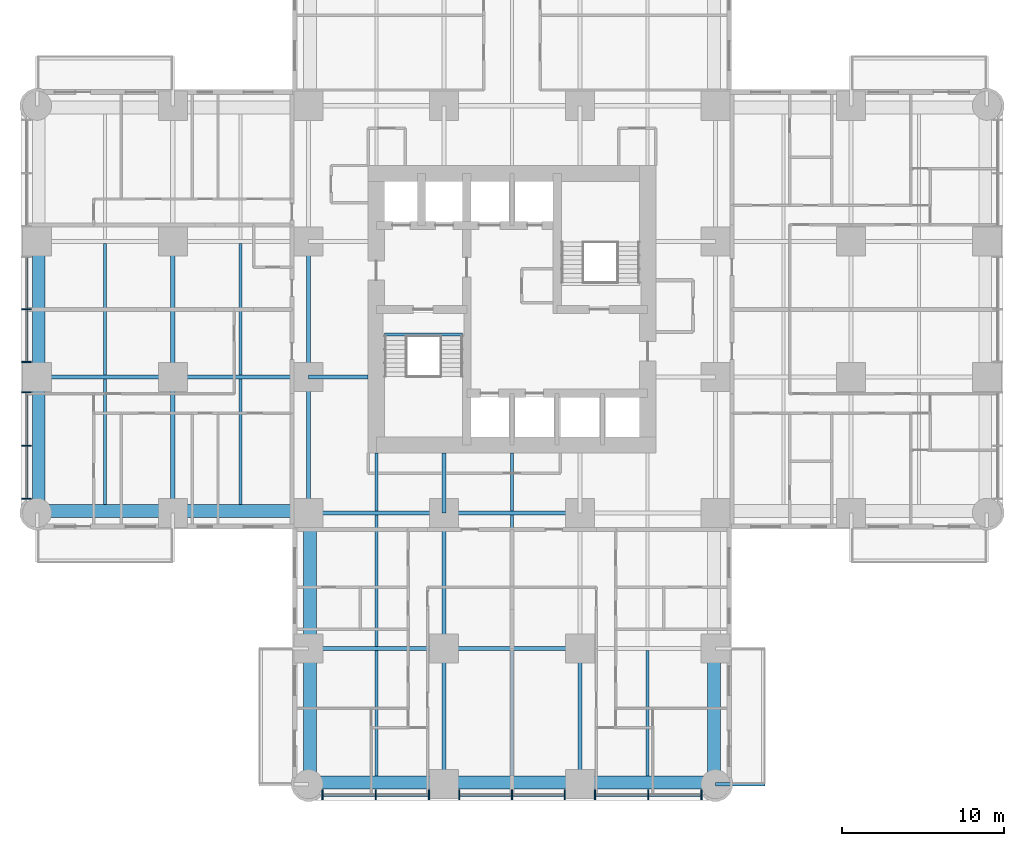
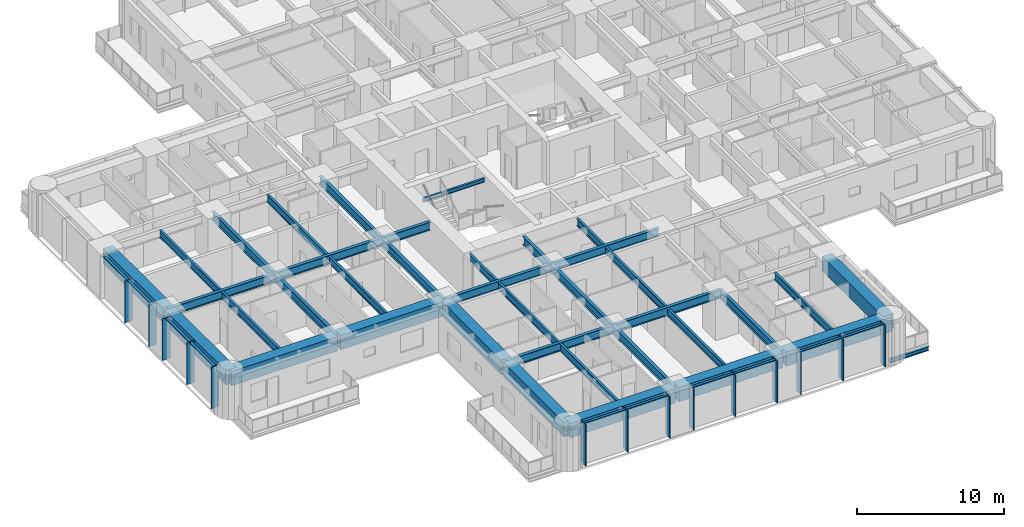
# One storey, part 2 of 17: 38 beams, 24 members, 2 elements without a shape of their own.
"""IFC4 building model written with IfcOpenShell, lengths in metres."""

from ifc_helpers import new_model, si_unit, direction, frame, origin, origin_2d, place, context, subcontext, project, spatial, rectangle, i_section, extrude, material, material_profile, profile_set, type_object, element, aggregate, save


model = new_model("IFC4")

# Units and contexts
model_context = context("Model", 3, precision=1e-05, world=origin(), true_north=direction((0.0, 1.0)))
body_context = subcontext(model_context, "Body", "Model", "MODEL_VIEW")
ifc_project = project(units=[si_unit("LENGTHUNIT", "METRE"), si_unit("AREAUNIT", "SQUARE_METRE"), si_unit("VOLUMEUNIT", "CUBIC_METRE"), si_unit("PLANEANGLEUNIT", "RADIAN"), si_unit("MASSUNIT", "GRAM", prefix="KILO")], contexts=[model_context])

# Site, building, storey
site_placement = place(None, origin())
site = spatial("IfcSite", under=ifc_project, at=site_placement, CompositionType="ELEMENT")
building_placement = place(site_placement, origin())
building = spatial("IfcBuilding", under=site, at=building_placement, Name="Torre Alcanfor", CompositionType="ELEMENT")
storey_placement = place(building_placement, frame((0.0, 0.0, 34.5)))
storey = spatial("IfcBuildingStorey", under=building, at=storey_placement, Name="L07", CompositionType="ELEMENT", Elevation=34.5)

# Beam
ifc_material_1 = material(Name="Steel ASTM A992 Grade 50", Category="steel")
ifc_material_profile_1 = material_profile(ifc_material_1, i_section(OverallWidth=0.205322265625, OverallDepth=0.309814453125, WebThickness=0.00927734375, FlangeThickness=0.016357421875, at=origin_2d()), Name="W12x50")
ifc_profile_set_1 = profile_set([ifc_material_profile_1], Name="Steel ASTM A992 Grade 50")
beam_type_1 = type_object("IfcBeamType", Name="Balcony cantilever beam W12x50", PredefinedType="BEAM", material=ifc_profile_set_1)
beam_1_placement = place(storey_placement, frame((42.0, 0.0, -0.35498046875), z_axis=(1.0, 0.0, 0.0), x_axis=(0.0, 1.0, 0.0)))
element("IfcBeam", 1, at=beam_1_placement, inside=storey, type_object=beam_type_1, Name="Balcony cantilever beam L07-S1 2", PredefinedType="BEAM", context=body_context, shape_type="SweptSolid", body=[
    extrude(i_section(OverallWidth=0.205322265625, OverallDepth=0.309814453125, WebThickness=0.00927734375, FlangeThickness=0.016357421875, at=origin_2d()), origin(), (0.0, 0.0, 1.0), 3.050048828125),
])

# Curtain wall, members
ifc_material_2 = material(Name="Aluminium and glass", Category="aluminium")
curtain_wall_type = type_object("IfcCurtainWallType", Name="CW-A unitised apartment glazing with vertical FIN", PredefinedType="NOTDEFINED", material=ifc_material_2)
curtain_wall_1_placement = place(storey_placement, origin())
curtain_wall_1 = element("IfcCurtainWall", 2, at=curtain_wall_1_placement, inside=storey, type_object=curtain_wall_type, Name="Curtain wall CW-A L07 2", PredefinedType="NOTDEFINED")
ifc_material_3 = material(Name="Bronze anodised aluminium", Category="aluminium")
ifc_material_profile_2 = material_profile(ifc_material_3, rectangle(XDim=0.60009765625, YDim=0.06494140625, at=origin_2d()), Name="CW-A mullion 65x600")
ifc_profile_set_2 = profile_set([ifc_material_profile_2], Name="Bronze anodised aluminium")
member_type_1 = type_object("IfcMemberType", Name="CW-A mullion with vertical FIN 65x600", PredefinedType="MULLION", material=ifc_profile_set_2)
member_1_placement = place(storey_placement, frame((-0.64990234375, 29.39990234375, 0.0), z_axis=(0.0, 0.0, 1.0), x_axis=(1.0, 0.0, 0.0)))
member_1 = element("IfcMember", 3, at=member_1_placement, type_object=member_type_1, Name="CW-A mullion 2.2", PredefinedType="MULLION", context=body_context, shape_type="SweptSolid", body=[
    extrude(rectangle(XDim=0.60009765625, YDim=0.06494140625, at=origin_2d()), origin(), (0.0, 0.0, 1.0), 3.449951171875),
])
member_2_placement = place(storey_placement, frame((-0.64990234375, 26.137451171875, 0.0), z_axis=(0.0, 0.0, 1.0), x_axis=(1.0, 0.0, 0.0)))
member_2 = element("IfcMember", 4, at=member_2_placement, type_object=member_type_1, Name="CW-A mullion 2.3", PredefinedType="MULLION", context=body_context, shape_type="SweptSolid", body=[
    extrude(rectangle(XDim=0.60009765625, YDim=0.06494140625, at=origin_2d()), origin(), (0.0, 0.0, 1.0), 3.449951171875),
])
member_3_placement = place(storey_placement, frame((-0.64990234375, 24.262451171875, 0.0), z_axis=(0.0, 0.0, 1.0), x_axis=(1.0, 0.0, 0.0)))
member_3 = element("IfcMember", 5, at=member_3_placement, type_object=member_type_1, Name="CW-A mullion 3.1", PredefinedType="MULLION", context=body_context, shape_type="SweptSolid", body=[
    extrude(rectangle(XDim=0.60009765625, YDim=0.06494140625, at=origin_2d()), origin(), (0.0, 0.0, 1.0), 3.449951171875),
])
member_4_placement = place(storey_placement, frame((-0.64990234375, 20.96484375, 0.0), z_axis=(0.0, 0.0, 1.0), x_axis=(1.0, 0.0, 0.0)))
member_4 = element("IfcMember", 6, at=member_4_placement, type_object=member_type_1, Name="CW-A mullion 3.2", PredefinedType="MULLION", context=body_context, shape_type="SweptSolid", body=[
    extrude(rectangle(XDim=0.60009765625, YDim=0.06494140625, at=origin_2d()), origin(), (0.0, 0.0, 1.0), 3.449951171875),
])
member_5_placement = place(storey_placement, frame((-0.64990234375, 17.6669921875, 0.0), z_axis=(0.0, 0.0, 1.0), x_axis=(1.0, 0.0, 0.0)))
member_5 = element("IfcMember", 7, at=member_5_placement, type_object=member_type_1, Name="CW-A mullion 3.3", PredefinedType="MULLION", context=body_context, shape_type="SweptSolid", body=[
    extrude(rectangle(XDim=0.60009765625, YDim=0.06494140625, at=origin_2d()), origin(), (0.0, 0.0, 1.0), 3.449951171875),
])

curtain_wall_2_placement = place(storey_placement, origin())
curtain_wall_2 = element("IfcCurtainWall", 8, at=curtain_wall_2_placement, inside=storey, type_object=curtain_wall_type, Name="Curtain wall CW-A L07 5", PredefinedType="NOTDEFINED")
member_6_placement = place(storey_placement, frame((17.6669921875, -0.64990234375, 0.0), z_axis=(0.0, 0.0, 1.0), x_axis=(0.0, 1.0, 0.0)))
member_6 = element("IfcMember", 9, at=member_6_placement, type_object=member_type_1, Name="CW-A mullion 1.1", PredefinedType="MULLION", context=body_context, shape_type="SweptSolid", body=[
    extrude(rectangle(XDim=0.60009765625, YDim=0.06494140625, at=origin_2d()), origin(), (0.0, 0.0, 1.0), 3.449951171875),
])
member_7_placement = place(storey_placement, frame((20.96484375, -0.64990234375, 0.0), z_axis=(0.0, 0.0, 1.0), x_axis=(0.0, 1.0, 0.0)))
member_7 = element("IfcMember", 10, at=member_7_placement, type_object=member_type_1, Name="CW-A mullion 1.2", PredefinedType="MULLION", context=body_context, shape_type="SweptSolid", body=[
    extrude(rectangle(XDim=0.60009765625, YDim=0.06494140625, at=origin_2d()), origin(), (0.0, 0.0, 1.0), 3.449951171875),
])
member_8_placement = place(storey_placement, frame((24.262451171875, -0.64990234375, 0.0), z_axis=(0.0, 0.0, 1.0), x_axis=(0.0, 1.0, 0.0)))
member_8 = element("IfcMember", 11, at=member_8_placement, type_object=member_type_1, Name="CW-A mullion 1.3", PredefinedType="MULLION", context=body_context, shape_type="SweptSolid", body=[
    extrude(rectangle(XDim=0.60009765625, YDim=0.06494140625, at=origin_2d()), origin(), (0.0, 0.0, 1.0), 3.449951171875),
])
member_9_placement = place(storey_placement, frame((26.137451171875, -0.64990234375, 0.0), z_axis=(0.0, 0.0, 1.0), x_axis=(0.0, 1.0, 0.0)))
member_9 = element("IfcMember", 12, at=member_9_placement, type_object=member_type_1, Name="CW-A mullion 2.1", PredefinedType="MULLION", context=body_context, shape_type="SweptSolid", body=[
    extrude(rectangle(XDim=0.60009765625, YDim=0.06494140625, at=origin_2d()), origin(), (0.0, 0.0, 1.0), 3.449951171875),
])
member_10_placement = place(storey_placement, frame((29.39990234375, -0.64990234375, 0.0), z_axis=(0.0, 0.0, 1.0), x_axis=(0.0, 1.0, 0.0)))
member_10 = element("IfcMember", 13, at=member_10_placement, type_object=member_type_1, Name="CW-A mullion 2.2", PredefinedType="MULLION", context=body_context, shape_type="SweptSolid", body=[
    extrude(rectangle(XDim=0.60009765625, YDim=0.06494140625, at=origin_2d()), origin(), (0.0, 0.0, 1.0), 3.449951171875),
])
member_11_placement = place(storey_placement, frame((32.66259765625, -0.64990234375, 0.0), z_axis=(0.0, 0.0, 1.0), x_axis=(0.0, 1.0, 0.0)))
member_11 = element("IfcMember", 14, at=member_11_placement, type_object=member_type_1, Name="CW-A mullion 2.3", PredefinedType="MULLION", context=body_context, shape_type="SweptSolid", body=[
    extrude(rectangle(XDim=0.60009765625, YDim=0.06494140625, at=origin_2d()), origin(), (0.0, 0.0, 1.0), 3.449951171875),
])
member_12_placement = place(storey_placement, frame((34.53759765625, -0.64990234375, 0.0), z_axis=(0.0, 0.0, 1.0), x_axis=(0.0, 1.0, 0.0)))
member_12 = element("IfcMember", 15, at=member_12_placement, type_object=member_type_1, Name="CW-A mullion 3.1", PredefinedType="MULLION", context=body_context, shape_type="SweptSolid", body=[
    extrude(rectangle(XDim=0.60009765625, YDim=0.06494140625, at=origin_2d()), origin(), (0.0, 0.0, 1.0), 3.449951171875),
])
member_13_placement = place(storey_placement, frame((37.835205078125, -0.64990234375, 0.0), z_axis=(0.0, 0.0, 1.0), x_axis=(0.0, 1.0, 0.0)))
member_13 = element("IfcMember", 16, at=member_13_placement, type_object=member_type_1, Name="CW-A mullion 3.2", PredefinedType="MULLION", context=body_context, shape_type="SweptSolid", body=[
    extrude(rectangle(XDim=0.60009765625, YDim=0.06494140625, at=origin_2d()), origin(), (0.0, 0.0, 1.0), 3.449951171875),
])
member_14_placement = place(storey_placement, frame((41.133056640625, -0.64990234375, 0.0), z_axis=(0.0, 0.0, 1.0), x_axis=(0.0, 1.0, 0.0)))
member_14 = element("IfcMember", 17, at=member_14_placement, type_object=member_type_1, Name="CW-A mullion 3.3", PredefinedType="MULLION", context=body_context, shape_type="SweptSolid", body=[
    extrude(rectangle(XDim=0.60009765625, YDim=0.06494140625, at=origin_2d()), origin(), (0.0, 0.0, 1.0), 3.449951171875),
])

# Member
ifc_material_4 = material(Name="Extruded aluminium", Category="aluminium")
ifc_material_profile_3 = material_profile(ifc_material_4, rectangle(XDim=0.199951171875, YDim=0.06494140625, at=origin_2d()), Name="CW-A transom 200x65")
ifc_profile_set_3 = profile_set([ifc_material_profile_3], Name="Extruded aluminium")
member_type_2 = type_object("IfcMemberType", Name="CW-A transom 65x200", PredefinedType="USERDEFINED", material=ifc_profile_set_3)
member_15_placement = place(storey_placement, frame((-0.64990234375, 32.6298828125, 3.41748046875), z_axis=(0.0, -1.0, 0.0), x_axis=(1.0, 0.0, 0.0)))
member_15 = element("IfcMember", 18, at=member_15_placement, type_object=member_type_2, Name="CW-A transom 2.1.2", ObjectType="TRANSOM", PredefinedType="USERDEFINED", context=body_context, shape_type="SweptSolid", body=[
    extrude(rectangle(XDim=0.199951171875, YDim=0.06494140625, at=origin_2d()), origin(), (0.0, 0.0, 1.0), 3.197265625),
])

member_16_placement = place(storey_placement, frame((-0.64990234375, 29.367431640625, 3.41748046875), z_axis=(0.0, -1.0, 0.0), x_axis=(1.0, 0.0, 0.0)))
member_16 = element("IfcMember", 19, at=member_16_placement, type_object=member_type_2, Name="CW-A transom 2.2.2", ObjectType="TRANSOM", PredefinedType="USERDEFINED", context=body_context, shape_type="SweptSolid", body=[
    extrude(rectangle(XDim=0.199951171875, YDim=0.06494140625, at=origin_2d()), origin(), (0.0, 0.0, 1.0), 3.197509765625),
])

member_17_placement = place(storey_placement, frame((-0.64990234375, 24.22998046875, 3.41748046875), z_axis=(0.0, -1.0, 0.0), x_axis=(1.0, 0.0, 0.0)))
member_17 = element("IfcMember", 20, at=member_17_placement, type_object=member_type_2, Name="CW-A transom 3.1.2", ObjectType="TRANSOM", PredefinedType="USERDEFINED", context=body_context, shape_type="SweptSolid", body=[
    extrude(rectangle(XDim=0.199951171875, YDim=0.06494140625, at=origin_2d()), origin(), (0.0, 0.0, 1.0), 3.232666015625),
])

member_18_placement = place(storey_placement, frame((-0.64990234375, 20.93212890625, 3.41748046875), z_axis=(0.0, -1.0, 0.0), x_axis=(1.0, 0.0, 0.0)))
member_18 = element("IfcMember", 21, at=member_18_placement, type_object=member_type_2, Name="CW-A transom 3.2.2", ObjectType="TRANSOM", PredefinedType="USERDEFINED", context=body_context, shape_type="SweptSolid", body=[
    extrude(rectangle(XDim=0.199951171875, YDim=0.06494140625, at=origin_2d()), origin(), (0.0, 0.0, 1.0), 3.232666015625),
])

aggregate(curtain_wall_1, [member_1, member_2, member_15, member_16, member_3, member_4, member_5, member_17, member_18])

member_19_placement = place(storey_placement, frame((17.699462890625, -0.64990234375, 3.41748046875), z_axis=(1.0, 0.0, 0.0), x_axis=(0.0, 1.0, 0.0)))
member_19 = element("IfcMember", 22, at=member_19_placement, type_object=member_type_2, Name="CW-A transom 1.1.2", ObjectType="TRANSOM", PredefinedType="USERDEFINED", context=body_context, shape_type="SweptSolid", body=[
    extrude(rectangle(XDim=0.199951171875, YDim=0.06494140625, at=origin_2d()), origin(), (0.0, 0.0, 1.0), 3.232666015625),
])

member_20_placement = place(storey_placement, frame((20.997314453125, -0.64990234375, 3.41748046875), z_axis=(1.0, 0.0, 0.0), x_axis=(0.0, 1.0, 0.0)))
member_20 = element("IfcMember", 23, at=member_20_placement, type_object=member_type_2, Name="CW-A transom 1.2.2", ObjectType="TRANSOM", PredefinedType="USERDEFINED", context=body_context, shape_type="SweptSolid", body=[
    extrude(rectangle(XDim=0.199951171875, YDim=0.06494140625, at=origin_2d()), origin(), (0.0, 0.0, 1.0), 3.232666015625),
])

member_21_placement = place(storey_placement, frame((26.169921875, -0.64990234375, 3.41748046875), z_axis=(1.0, 0.0, 0.0), x_axis=(0.0, 1.0, 0.0)))
member_21 = element("IfcMember", 24, at=member_21_placement, type_object=member_type_2, Name="CW-A transom 2.1.2", ObjectType="TRANSOM", PredefinedType="USERDEFINED", context=body_context, shape_type="SweptSolid", body=[
    extrude(rectangle(XDim=0.199951171875, YDim=0.06494140625, at=origin_2d()), origin(), (0.0, 0.0, 1.0), 3.197509765625),
])

member_22_placement = place(storey_placement, frame((29.4326171875, -0.64990234375, 3.41748046875), z_axis=(1.0, 0.0, 0.0), x_axis=(0.0, 1.0, 0.0)))
member_22 = element("IfcMember", 25, at=member_22_placement, type_object=member_type_2, Name="CW-A transom 2.2.2", ObjectType="TRANSOM", PredefinedType="USERDEFINED", context=body_context, shape_type="SweptSolid", body=[
    extrude(rectangle(XDim=0.199951171875, YDim=0.06494140625, at=origin_2d()), origin(), (0.0, 0.0, 1.0), 3.197265625),
])

member_23_placement = place(storey_placement, frame((34.570068359375, -0.64990234375, 3.41748046875), z_axis=(1.0, 0.0, 0.0), x_axis=(0.0, 1.0, 0.0)))
member_23 = element("IfcMember", 26, at=member_23_placement, type_object=member_type_2, Name="CW-A transom 3.1.2", ObjectType="TRANSOM", PredefinedType="USERDEFINED", context=body_context, shape_type="SweptSolid", body=[
    extrude(rectangle(XDim=0.199951171875, YDim=0.06494140625, at=origin_2d()), origin(), (0.0, 0.0, 1.0), 3.232666015625),
])

member_24_placement = place(storey_placement, frame((37.86767578125, -0.64990234375, 3.41748046875), z_axis=(1.0, 0.0, 0.0), x_axis=(0.0, 1.0, 0.0)))
member_24 = element("IfcMember", 27, at=member_24_placement, type_object=member_type_2, Name="CW-A transom 3.2.2", ObjectType="TRANSOM", PredefinedType="USERDEFINED", context=body_context, shape_type="SweptSolid", body=[
    extrude(rectangle(XDim=0.199951171875, YDim=0.06494140625, at=origin_2d()), origin(), (0.0, 0.0, 1.0), 3.23291015625),
])

aggregate(curtain_wall_2, [member_6, member_7, member_8, member_19, member_20, member_9, member_10, member_11, member_21, member_22, member_12, member_13, member_14, member_23, member_24])

# Beams
ifc_material_5 = material(Name="Steel ASTM A992 Grade 50", Category="steel")
ifc_material_profile_4 = material_profile(ifc_material_5, i_section(OverallWidth=0.25390625, OverallDepth=0.683349609375, WebThickness=0.012451171875, FlangeThickness=0.01904296875, at=origin_2d()), Name="W27x94")
ifc_profile_set_4 = profile_set([ifc_material_profile_4], Name="Steel ASTM A992 Grade 50")
beam_type_2 = type_object("IfcBeamType", Name="Girder W27x94", PredefinedType="BEAM", material=ifc_profile_set_4)
beam_2_placement = place(storey_placement, frame((16.800048828125, 8.39990234375, 3.1083984375), z_axis=(1.0, 0.0, 0.0), x_axis=(0.0, 1.0, 0.0)))
element("IfcBeam", 28, at=beam_2_placement, inside=storey, type_object=beam_type_2, Name="Beam 3D-4D under L08", PredefinedType="BEAM", context=body_context, shape_type="SweptSolid", body=[
    extrude(i_section(OverallWidth=0.25390625, OverallDepth=0.683349609375, WebThickness=0.012451171875, FlangeThickness=0.01904296875, at=origin_2d()), origin(), (0.0, 0.0, 1.0), 8.39990234375),
])
beam_3_placement = place(storey_placement, frame((25.199951171875, 8.39990234375, 3.1083984375), z_axis=(1.0, 0.0, 0.0), x_axis=(0.0, 1.0, 0.0)))
element("IfcBeam", 29, at=beam_3_placement, inside=storey, type_object=beam_type_2, Name="Beam 4D-5D under L08", PredefinedType="BEAM", context=body_context, shape_type="SweptSolid", body=[
    extrude(i_section(OverallWidth=0.25390625, OverallDepth=0.683349609375, WebThickness=0.012451171875, FlangeThickness=0.01904296875, at=origin_2d()), origin(), (0.0, 0.0, 1.0), 8.400146484375),
])
beam_4_placement = place(storey_placement, frame((16.800048828125, 16.800048828125, 3.1083984375), z_axis=(1.0, 0.0, 0.0), x_axis=(0.0, 1.0, 0.0)))
element("IfcBeam", 30, at=beam_4_placement, inside=storey, type_object=beam_type_2, Name="Beam 3E-4E under L08", PredefinedType="BEAM", context=body_context, shape_type="SweptSolid", body=[
    extrude(i_section(OverallWidth=0.25390625, OverallDepth=0.683349609375, WebThickness=0.012451171875, FlangeThickness=0.01904296875, at=origin_2d()), origin(), (0.0, 0.0, 1.0), 8.39990234375),
])
beam_5_placement = place(storey_placement, frame((25.199951171875, 16.800048828125, 3.1083984375), z_axis=(1.0, 0.0, 0.0), x_axis=(0.0, 1.0, 0.0)))
element("IfcBeam", 31, at=beam_5_placement, inside=storey, type_object=beam_type_2, Name="Beam 4E-5E under L08", PredefinedType="BEAM", context=body_context, shape_type="SweptSolid", body=[
    extrude(i_section(OverallWidth=0.25390625, OverallDepth=0.683349609375, WebThickness=0.012451171875, FlangeThickness=0.01904296875, at=origin_2d()), origin(), (0.0, 0.0, 1.0), 8.400146484375),
])
beam_6_placement = place(storey_placement, frame((0.0, 25.199951171875, 3.1083984375), z_axis=(1.0, 0.0, 0.0), x_axis=(0.0, 1.0, 0.0)))
element("IfcBeam", 32, at=beam_6_placement, inside=storey, type_object=beam_type_2, Name="Beam 1F-2F under L08", PredefinedType="BEAM", context=body_context, shape_type="SweptSolid", body=[
    extrude(i_section(OverallWidth=0.25390625, OverallDepth=0.683349609375, WebThickness=0.012451171875, FlangeThickness=0.01904296875, at=origin_2d()), origin(), (0.0, 0.0, 1.0), 8.39990234375),
])
beam_7_placement = place(storey_placement, frame((8.39990234375, 25.199951171875, 3.1083984375), z_axis=(1.0, 0.0, 0.0), x_axis=(0.0, 1.0, 0.0)))
element("IfcBeam", 33, at=beam_7_placement, inside=storey, type_object=beam_type_2, Name="Beam 2F-3F under L08", PredefinedType="BEAM", context=body_context, shape_type="SweptSolid", body=[
    extrude(i_section(OverallWidth=0.25390625, OverallDepth=0.683349609375, WebThickness=0.012451171875, FlangeThickness=0.01904296875, at=origin_2d()), origin(), (0.0, 0.0, 1.0), 8.400146484375),
])
beam_8_placement = place(storey_placement, frame((8.39990234375, 16.800048828125, 3.1083984375), z_axis=(0.0, 1.0, 0.0), x_axis=(-1.0, 0.0, 0.0)))
element("IfcBeam", 34, at=beam_8_placement, inside=storey, type_object=beam_type_2, Name="Beam 2E-2F under L08", PredefinedType="BEAM", context=body_context, shape_type="SweptSolid", body=[
    extrude(i_section(OverallWidth=0.25390625, OverallDepth=0.683349609375, WebThickness=0.012451171875, FlangeThickness=0.01904296875, at=origin_2d()), origin(), (0.0, 0.0, 1.0), 8.39990234375),
])
beam_9_placement = place(storey_placement, frame((8.39990234375, 25.199951171875, 3.1083984375), z_axis=(0.0, 1.0, 0.0), x_axis=(-1.0, 0.0, 0.0)))
element("IfcBeam", 35, at=beam_9_placement, inside=storey, type_object=beam_type_2, Name="Beam 2F-2G under L08", PredefinedType="BEAM", context=body_context, shape_type="SweptSolid", body=[
    extrude(i_section(OverallWidth=0.25390625, OverallDepth=0.683349609375, WebThickness=0.012451171875, FlangeThickness=0.01904296875, at=origin_2d()), origin(), (0.0, 0.0, 1.0), 8.400146484375),
])
beam_10_placement = place(storey_placement, frame((16.800048828125, 16.800048828125, 3.1083984375), z_axis=(0.0, 1.0, 0.0), x_axis=(-1.0, 0.0, 0.0)))
element("IfcBeam", 36, at=beam_10_placement, inside=storey, type_object=beam_type_2, Name="Beam 3E-3F under L08", PredefinedType="BEAM", context=body_context, shape_type="SweptSolid", body=[
    extrude(i_section(OverallWidth=0.25390625, OverallDepth=0.683349609375, WebThickness=0.012451171875, FlangeThickness=0.01904296875, at=origin_2d()), origin(), (0.0, 0.0, 1.0), 8.39990234375),
])
beam_11_placement = place(storey_placement, frame((16.800048828125, 25.199951171875, 3.1083984375), z_axis=(0.0, 1.0, 0.0), x_axis=(-1.0, 0.0, 0.0)))
element("IfcBeam", 37, at=beam_11_placement, inside=storey, type_object=beam_type_2, Name="Beam 3F-3G under L08", PredefinedType="BEAM", context=body_context, shape_type="SweptSolid", body=[
    extrude(i_section(OverallWidth=0.25390625, OverallDepth=0.683349609375, WebThickness=0.012451171875, FlangeThickness=0.01904296875, at=origin_2d()), origin(), (0.0, 0.0, 1.0), 8.400146484375),
])
beam_12_placement = place(storey_placement, frame((25.199951171875, 0.0, 3.1083984375), z_axis=(0.0, 1.0, 0.0), x_axis=(-1.0, 0.0, 0.0)))
element("IfcBeam", 38, at=beam_12_placement, inside=storey, type_object=beam_type_2, Name="Beam 4C-4D under L08", PredefinedType="BEAM", context=body_context, shape_type="SweptSolid", body=[
    extrude(i_section(OverallWidth=0.25390625, OverallDepth=0.683349609375, WebThickness=0.012451171875, FlangeThickness=0.01904296875, at=origin_2d()), origin(), (0.0, 0.0, 1.0), 8.39990234375),
])
beam_13_placement = place(storey_placement, frame((25.199951171875, 8.39990234375, 3.1083984375), z_axis=(0.0, 1.0, 0.0), x_axis=(-1.0, 0.0, 0.0)))
element("IfcBeam", 39, at=beam_13_placement, inside=storey, type_object=beam_type_2, Name="Beam 4D-4E under L08", PredefinedType="BEAM", context=body_context, shape_type="SweptSolid", body=[
    extrude(i_section(OverallWidth=0.25390625, OverallDepth=0.683349609375, WebThickness=0.012451171875, FlangeThickness=0.01904296875, at=origin_2d()), origin(), (0.0, 0.0, 1.0), 8.400146484375),
])
beam_14_placement = place(storey_placement, frame((33.60009765625, 0.0, 3.1083984375), z_axis=(0.0, 1.0, 0.0), x_axis=(-1.0, 0.0, 0.0)))
element("IfcBeam", 40, at=beam_14_placement, inside=storey, type_object=beam_type_2, Name="Beam 5C-5D under L08", PredefinedType="BEAM", context=body_context, shape_type="SweptSolid", body=[
    extrude(i_section(OverallWidth=0.25390625, OverallDepth=0.683349609375, WebThickness=0.012451171875, FlangeThickness=0.01904296875, at=origin_2d()), origin(), (0.0, 0.0, 1.0), 8.39990234375),
])
ifc_material_6 = material(Name="Steel ASTM A992 Grade 50", Category="steel")
ifc_material_profile_5 = material_profile(ifc_material_6, i_section(OverallWidth=0.25390625, OverallDepth=0.683349609375, WebThickness=0.012451171875, FlangeThickness=0.01904296875, at=origin_2d()), Name="W27x94")
ifc_profile_set_5 = profile_set([ifc_material_profile_5], Name="Steel ASTM A992 Grade 50")
beam_type_3 = type_object("IfcBeamType", Name="Girder, part bay W27x94", PredefinedType="BEAM", material=ifc_profile_set_5)
for number, where, z_axis, x_axis, name in (
    (41, (25.199951171875, 16.800048828125, 3.1083984375), (0.0, 1.0, 0.0), (-1.0, 0.0, 0.0), "Beam 4E-420_5 under L08"),
    (42, (16.800048828125, 25.199951171875, 3.1083984375), (1.0, 0.0, 0.0), (0.0, 1.0, 0.0), "Beam 3F-20_5F under L08"),
):
    element("IfcBeam", number, at=place(storey_placement, frame(where, z_axis=z_axis, x_axis=x_axis)), inside=storey, type_object=beam_type_3, Name=name, PredefinedType="BEAM", context=body_context, shape_type="SweptSolid", body=[
        extrude(i_section(OverallWidth=0.25390625, OverallDepth=0.683349609375, WebThickness=0.012451171875, FlangeThickness=0.01904296875, at=origin_2d()), origin(), (0.0, 0.0, 1.0), 3.699951171875),
    ])
ifc_material_7 = material(Name="Concrete f'c 70 MPa", Category="concrete")
ifc_material_profile_6 = material_profile(ifc_material_7, rectangle(XDim=0.800048828125, YDim=1.199951171875, at=origin_2d()), Name="800x1200")
ifc_profile_set_6 = profile_set([ifc_material_profile_6], Name="Concrete f'c 70 MPa")
beam_type_4 = type_object("IfcBeamType", Name="RC perimeter beam 800x1200", PredefinedType="BEAM", material=ifc_profile_set_6)
beam_15_placement = place(storey_placement, frame((16.800048828125, 0.10009765625, 2.85009765625), z_axis=(1.0, 0.0, 0.0), x_axis=(0.0, 1.0, 0.0)))
element("IfcBeam", 43, at=beam_15_placement, inside=storey, type_object=beam_type_4, Name="Beam 3C-4C under L08", PredefinedType="BEAM", context=body_context, shape_type="SweptSolid", body=[
    extrude(rectangle(XDim=0.800048828125, YDim=1.199951171875, at=origin_2d()), origin(), (0.0, 0.0, 1.0), 8.27294921875),
])
beam_16_placement = place(storey_placement, frame((25.326904296875, 0.10009765625, 2.85009765625), z_axis=(1.0, 0.0, 0.0), x_axis=(0.0, 1.0, 0.0)))
element("IfcBeam", 44, at=beam_16_placement, inside=storey, type_object=beam_type_4, Name="Beam 4C-5C under L08", PredefinedType="BEAM", context=body_context, shape_type="SweptSolid", body=[
    extrude(rectangle(XDim=0.800048828125, YDim=1.199951171875, at=origin_2d()), origin(), (0.0, 0.0, 1.0), 8.14599609375),
])
for number, where, z_axis, x_axis, name in (
    (45, (33.72705078125, 0.10009765625, 2.85009765625), (1.0, 0.0, 0.0), (0.0, 1.0, 0.0), "Beam 5C-6C under L08"),
    (46, (0.0, 16.89990234375, 2.85009765625), (1.0, 0.0, 0.0), (0.0, 1.0, 0.0), "Beam 1E-2E under L08"),
):
    element("IfcBeam", number, at=place(storey_placement, frame(where, z_axis=z_axis, x_axis=x_axis)), inside=storey, type_object=beam_type_4, Name=name, PredefinedType="BEAM", context=body_context, shape_type="SweptSolid", body=[
        extrude(rectangle(XDim=0.800048828125, YDim=1.199951171875, at=origin_2d()), origin(), (0.0, 0.0, 1.0), 8.27294921875),
    ])
beam_17_placement = place(storey_placement, frame((8.527099609375, 16.89990234375, 2.85009765625), z_axis=(1.0, 0.0, 0.0), x_axis=(0.0, 1.0, 0.0)))
element("IfcBeam", 47, at=beam_17_placement, inside=storey, type_object=beam_type_4, Name="Beam 2E-3E under L08", PredefinedType="BEAM", context=body_context, shape_type="SweptSolid", body=[
    extrude(rectangle(XDim=0.800048828125, YDim=1.199951171875, at=origin_2d()), origin(), (0.0, 0.0, 1.0), 8.14599609375),
])
beam_18_placement = place(storey_placement, frame((0.10009765625, 16.800048828125, 2.85009765625), z_axis=(0.0, 1.0, 0.0), x_axis=(-1.0, 0.0, 0.0)))
element("IfcBeam", 48, at=beam_18_placement, inside=storey, type_object=beam_type_4, Name="Beam 1E-1F under L08", PredefinedType="BEAM", context=body_context, shape_type="SweptSolid", body=[
    extrude(rectangle(XDim=0.800048828125, YDim=1.199951171875, at=origin_2d()), origin(), (0.0, 0.0, 1.0), 8.27294921875),
])
beam_19_placement = place(storey_placement, frame((0.10009765625, 25.326904296875, 2.85009765625), z_axis=(0.0, 1.0, 0.0), x_axis=(-1.0, 0.0, 0.0)))
element("IfcBeam", 49, at=beam_19_placement, inside=storey, type_object=beam_type_4, Name="Beam 1F-1G under L08", PredefinedType="BEAM", context=body_context, shape_type="SweptSolid", body=[
    extrude(rectangle(XDim=0.800048828125, YDim=1.199951171875, at=origin_2d()), origin(), (0.0, 0.0, 1.0), 8.14599609375),
])
beam_20_placement = place(storey_placement, frame((16.89990234375, 0.0, 2.85009765625), z_axis=(0.0, 1.0, 0.0), x_axis=(-1.0, 0.0, 0.0)))
element("IfcBeam", 50, at=beam_20_placement, inside=storey, type_object=beam_type_4, Name="Beam 3C-3D under L08", PredefinedType="BEAM", context=body_context, shape_type="SweptSolid", body=[
    extrude(rectangle(XDim=0.800048828125, YDim=1.199951171875, at=origin_2d()), origin(), (0.0, 0.0, 1.0), 8.27294921875),
])
beam_21_placement = place(storey_placement, frame((16.89990234375, 8.527099609375, 2.85009765625), z_axis=(0.0, 1.0, 0.0), x_axis=(-1.0, 0.0, 0.0)))
element("IfcBeam", 51, at=beam_21_placement, inside=storey, type_object=beam_type_4, Name="Beam 3D-3E under L08", PredefinedType="BEAM", context=body_context, shape_type="SweptSolid", body=[
    extrude(rectangle(XDim=0.800048828125, YDim=1.199951171875, at=origin_2d()), origin(), (0.0, 0.0, 1.0), 8.14599609375),
])
beam_22_placement = place(storey_placement, frame((41.89990234375, 0.0, 2.85009765625), z_axis=(0.0, 1.0, 0.0), x_axis=(-1.0, 0.0, 0.0)))
element("IfcBeam", 52, at=beam_22_placement, inside=storey, type_object=beam_type_4, Name="Beam 6C-6D under L08", PredefinedType="BEAM", context=body_context, shape_type="SweptSolid", body=[
    extrude(rectangle(XDim=0.800048828125, YDim=1.199951171875, at=origin_2d()), origin(), (0.0, 0.0, 1.0), 8.27294921875),
])
ifc_material_8 = material(Name="Steel ASTM A992 Grade 50", Category="steel")
ifc_material_profile_7 = material_profile(ifc_material_8, i_section(OverallWidth=0.1787109375, OverallDepth=0.60205078125, WebThickness=0.010986328125, FlangeThickness=0.014892578125, at=origin_2d()), Name="W24x62")
ifc_profile_set_7 = profile_set([ifc_material_profile_7], Name="Steel ASTM A992 Grade 50")
beam_type_5 = type_object("IfcBeamType", Name="Secondary beam W24x62", PredefinedType="BEAM", material=ifc_profile_set_7)
beam_23_placement = place(storey_placement, frame((4.199951171875, 17.300048828125, 3.14892578125), z_axis=(0.0, 1.0, 0.0), x_axis=(-1.0, 0.0, 0.0)))
element("IfcBeam", 53, at=beam_23_placement, inside=storey, type_object=beam_type_5, Name="Beam 4_2E-4_2F under L08", PredefinedType="BEAM", context=body_context, shape_type="SweptSolid", body=[
    extrude(i_section(OverallWidth=0.1787109375, OverallDepth=0.60205078125, WebThickness=0.010986328125, FlangeThickness=0.014892578125, at=origin_2d()), origin(), (0.0, 0.0, 1.0), 7.77294921875),
])
beam_24_placement = place(storey_placement, frame((4.199951171875, 25.326904296875, 3.14892578125), z_axis=(0.0, 1.0, 0.0), x_axis=(-1.0, 0.0, 0.0)))
element("IfcBeam", 54, at=beam_24_placement, inside=storey, type_object=beam_type_5, Name="Beam 4_2F-4_2G under L08", PredefinedType="BEAM", context=body_context, shape_type="SweptSolid", body=[
    extrude(i_section(OverallWidth=0.1787109375, OverallDepth=0.60205078125, WebThickness=0.010986328125, FlangeThickness=0.014892578125, at=origin_2d()), origin(), (0.0, 0.0, 1.0), 8.14599609375),
])
beam_25_placement = place(storey_placement, frame((12.60009765625, 17.300048828125, 3.14892578125), z_axis=(0.0, 1.0, 0.0), x_axis=(-1.0, 0.0, 0.0)))
element("IfcBeam", 55, at=beam_25_placement, inside=storey, type_object=beam_type_5, Name="Beam 12_6E-12_6F under L08", PredefinedType="BEAM", context=body_context, shape_type="SweptSolid", body=[
    extrude(i_section(OverallWidth=0.1787109375, OverallDepth=0.60205078125, WebThickness=0.010986328125, FlangeThickness=0.014892578125, at=origin_2d()), origin(), (0.0, 0.0, 1.0), 7.77294921875),
])
beam_26_placement = place(storey_placement, frame((12.60009765625, 25.326904296875, 3.14892578125), z_axis=(0.0, 1.0, 0.0), x_axis=(-1.0, 0.0, 0.0)))
element("IfcBeam", 56, at=beam_26_placement, inside=storey, type_object=beam_type_5, Name="Beam 12_6F-12_6G under L08", PredefinedType="BEAM", context=body_context, shape_type="SweptSolid", body=[
    extrude(i_section(OverallWidth=0.1787109375, OverallDepth=0.60205078125, WebThickness=0.010986328125, FlangeThickness=0.014892578125, at=origin_2d()), origin(), (0.0, 0.0, 1.0), 8.14599609375),
])
beam_27_placement = place(storey_placement, frame((21.0, 0.5, 3.14892578125), z_axis=(0.0, 1.0, 0.0), x_axis=(-1.0, 0.0, 0.0)))
element("IfcBeam", 57, at=beam_27_placement, inside=storey, type_object=beam_type_5, Name="Beam 21C-21D under L08", PredefinedType="BEAM", context=body_context, shape_type="SweptSolid", body=[
    extrude(i_section(OverallWidth=0.1787109375, OverallDepth=0.60205078125, WebThickness=0.010986328125, FlangeThickness=0.014892578125, at=origin_2d()), origin(), (0.0, 0.0, 1.0), 7.77294921875),
])
beam_28_placement = place(storey_placement, frame((21.0, 8.527099609375, 3.14892578125), z_axis=(0.0, 1.0, 0.0), x_axis=(-1.0, 0.0, 0.0)))
element("IfcBeam", 58, at=beam_28_placement, inside=storey, type_object=beam_type_5, Name="Beam 21D-21E under L08", PredefinedType="BEAM", context=body_context, shape_type="SweptSolid", body=[
    extrude(i_section(OverallWidth=0.1787109375, OverallDepth=0.60205078125, WebThickness=0.010986328125, FlangeThickness=0.014892578125, at=origin_2d()), origin(), (0.0, 0.0, 1.0), 8.14599609375),
])
beam_29_placement = place(storey_placement, frame((29.39990234375, 0.5, 3.14892578125), z_axis=(0.0, 1.0, 0.0), x_axis=(-1.0, 0.0, 0.0)))
element("IfcBeam", 59, at=beam_29_placement, inside=storey, type_object=beam_type_5, Name="Beam 29_4C-29_4D under L08", PredefinedType="BEAM", context=body_context, shape_type="SweptSolid", body=[
    extrude(i_section(OverallWidth=0.1787109375, OverallDepth=0.60205078125, WebThickness=0.010986328125, FlangeThickness=0.014892578125, at=origin_2d()), origin(), (0.0, 0.0, 1.0), 7.77294921875),
])
beam_30_placement = place(storey_placement, frame((29.39990234375, 8.527099609375, 3.14892578125), z_axis=(0.0, 1.0, 0.0), x_axis=(-1.0, 0.0, 0.0)))
element("IfcBeam", 60, at=beam_30_placement, inside=storey, type_object=beam_type_5, Name="Beam 29_4D-29_4E under L08", PredefinedType="BEAM", context=body_context, shape_type="SweptSolid", body=[
    extrude(i_section(OverallWidth=0.1787109375, OverallDepth=0.60205078125, WebThickness=0.010986328125, FlangeThickness=0.014892578125, at=origin_2d()), origin(), (0.0, 0.0, 1.0), 8.14599609375),
])
beam_31_placement = place(storey_placement, frame((37.800048828125, 0.5, 3.14892578125), z_axis=(0.0, 1.0, 0.0), x_axis=(-1.0, 0.0, 0.0)))
element("IfcBeam", 61, at=beam_31_placement, inside=storey, type_object=beam_type_5, Name="Beam 37_8C-37_8D under L08", PredefinedType="BEAM", context=body_context, shape_type="SweptSolid", body=[
    extrude(i_section(OverallWidth=0.1787109375, OverallDepth=0.60205078125, WebThickness=0.010986328125, FlangeThickness=0.014892578125, at=origin_2d()), origin(), (0.0, 0.0, 1.0), 7.77294921875),
])
ifc_material_9 = material(Name="Steel ASTM A992 Grade 50", Category="steel")
ifc_material_profile_8 = material_profile(ifc_material_9, i_section(OverallWidth=0.1787109375, OverallDepth=0.60205078125, WebThickness=0.010986328125, FlangeThickness=0.014892578125, at=origin_2d()), Name="W24x62")
ifc_profile_set_8 = profile_set([ifc_material_profile_8], Name="Steel ASTM A992 Grade 50")
beam_type_6 = type_object("IfcBeamType", Name="Secondary beam, part bay W24x62", PredefinedType="BEAM", material=ifc_profile_set_8)
for number, where, z_axis, x_axis, name in (
    (62, (21.0, 16.927001953125, 3.14892578125), (0.0, 1.0, 0.0), (-1.0, 0.0, 0.0), "Beam 21E-2120_5 under L08"),
    (63, (29.39990234375, 16.927001953125, 3.14892578125), (0.0, 1.0, 0.0), (-1.0, 0.0, 0.0), "Beam 29_4E-29_420_5 under L08"),
):
    element("IfcBeam", number, at=place(storey_placement, frame(where, z_axis=z_axis, x_axis=x_axis)), inside=storey, type_object=beam_type_6, Name=name, PredefinedType="BEAM", context=body_context, shape_type="SweptSolid", body=[
        extrude(i_section(OverallWidth=0.1787109375, OverallDepth=0.60205078125, WebThickness=0.010986328125, FlangeThickness=0.014892578125, at=origin_2d()), origin(), (0.0, 0.0, 1.0), 3.572998046875),
    ])
ifc_material_10 = material(Name="Steel ASTM A992 Grade 50", Category="steel")
ifc_material_profile_9 = material_profile(ifc_material_10, i_section(OverallWidth=0.164794921875, OverallDepth=0.309814453125, WebThickness=0.005859375, FlangeThickness=0.009765625, at=origin_2d()), Name="W12x26")
ifc_profile_set_9 = profile_set([ifc_material_profile_9], Name="Steel ASTM A992 Grade 50")
beam_type_7 = type_object("IfcBeamType", Name="Stair landing beam W12x26", PredefinedType="BEAM", material=ifc_profile_set_9)
beam_32_placement = place(storey_placement, frame((21.5, 27.83740234375, 3.2451171875), z_axis=(1.0, 0.0, 0.0), x_axis=(0.0, 1.0, 0.0)))
element("IfcBeam", 64, at=beam_32_placement, inside=storey, type_object=beam_type_7, Name="Landing trimmer S1 L08", PredefinedType="BEAM", context=body_context, shape_type="SweptSolid", body=[
    extrude(i_section(OverallWidth=0.164794921875, OverallDepth=0.309814453125, WebThickness=0.005859375, FlangeThickness=0.009765625, at=origin_2d()), origin(), (0.0, 0.0, 1.0), 4.85009765625),
])

save(model, "model.ifc")
